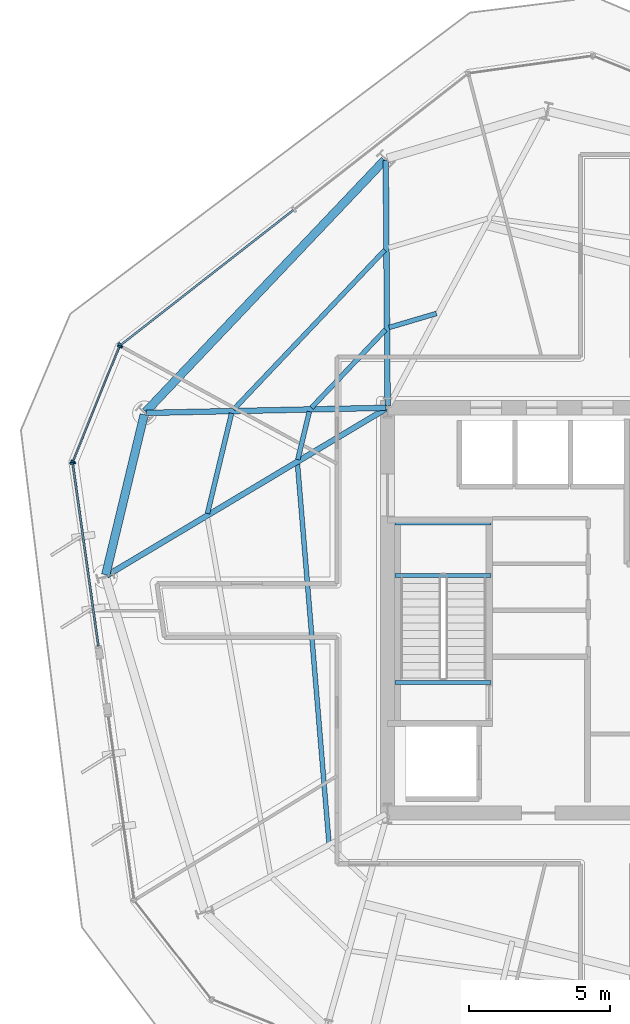
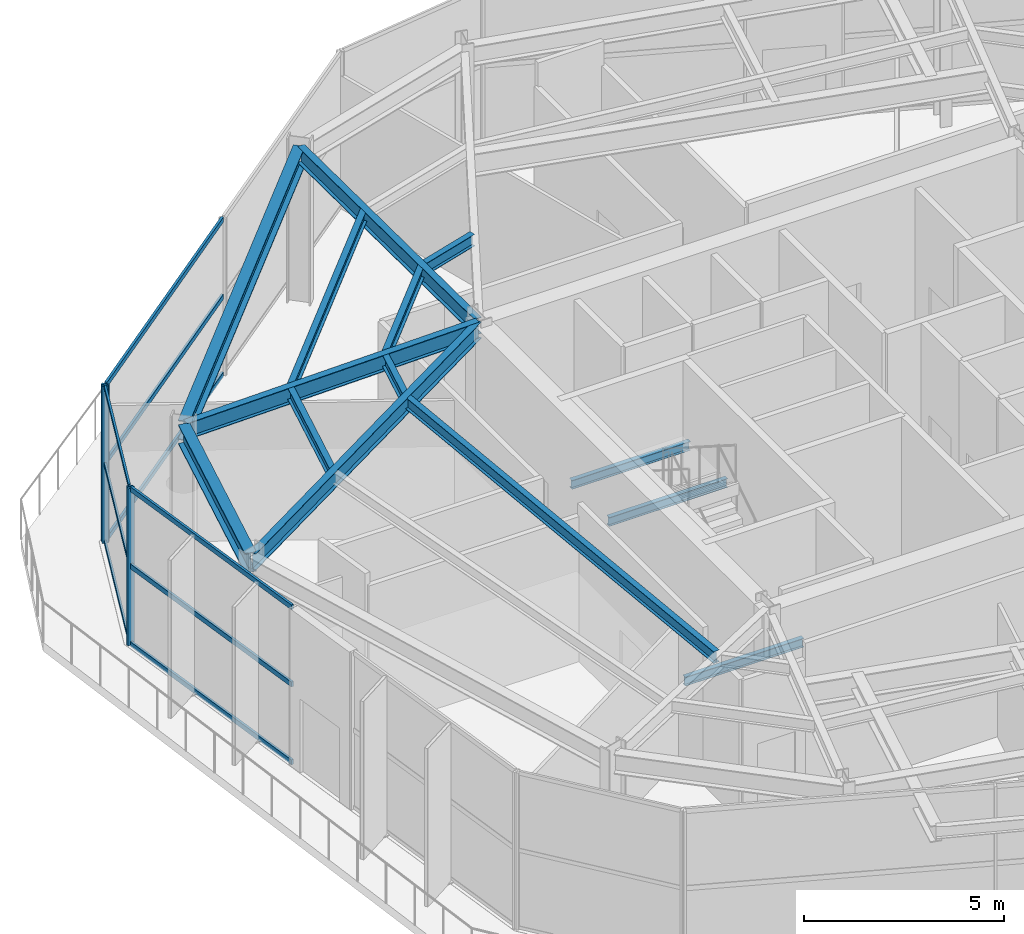
# One storey, part 4 of 14: 14 beams, 13 members, 3 elements without a shape of their own.
"""IFC4 building model written with IfcOpenShell, lengths in metres."""

from ifc_helpers import new_model, si_unit, direction, frame, origin, origin_2d, place, context, subcontext, project, spatial, rectangle, i_section, extrude, material, layer, layer_set, material_profile, profile_set, type_object, element, aggregate, save


model = new_model("IFC4")

# Units and contexts
model_context = context("Model", 3, precision=1e-05, world=origin(), true_north=direction((0.0, 1.0)))
body_context = subcontext(model_context, "Body", "Model", "MODEL_VIEW")
ifc_project = project(units=[si_unit("LENGTHUNIT", "METRE"), si_unit("AREAUNIT", "SQUARE_METRE"), si_unit("VOLUMEUNIT", "CUBIC_METRE"), si_unit("PLANEANGLEUNIT", "RADIAN"), si_unit("MASSUNIT", "GRAM", prefix="KILO")], contexts=[model_context])

# Site, building, storey
site_placement = place(None, origin())
site = spatial("IfcSite", under=ifc_project, at=site_placement, CompositionType="ELEMENT")
building_placement = place(site_placement, origin())
building = spatial("IfcBuilding", under=site, at=building_placement, Name="Kranzbogen Civic Tower", CompositionType="ELEMENT")
storey_placement = place(building_placement, frame((0.0, 0.0, 175.800048828125)))
storey = spatial("IfcBuildingStorey", under=building, at=storey_placement, Name="L42", CompositionType="ELEMENT", Elevation=175.800048828125)

# Curtain wall, members
ifc_material_1 = material(Name="Pale Anodised Aluminium", Category="aluminium")
ifc_layer_1 = layer(ifc_material_1, 0.219970703125, Name="Pale Anodised Aluminium")
ifc_layer_set_1 = layer_set([ifc_layer_1], Name="Pale Anodised Aluminium")
curtain_wall_type_1 = type_object("IfcCurtainWallType", Name="Chamfer Facet Stick Curtain Wall System CW-06", PredefinedType="USERDEFINED", material=ifc_layer_set_1)
curtain_wall_1_placement = place(storey_placement, origin())
curtain_wall_1 = element("IfcCurtainWall", 1, at=curtain_wall_1_placement, inside=storey, type_object=curtain_wall_type_1, Name="L42 curtain wall CW-L42-C2", ObjectType="STICK CURTAIN WALL", PredefinedType="USERDEFINED")
ifc_material_profile_1 = material_profile(ifc_material_1, rectangle(XDim=0.06005859375, YDim=0.159912109375, at=origin_2d()), Name="ALU-M 60x160")
ifc_profile_set_1 = profile_set([ifc_material_profile_1], Name="Pale Anodised Aluminium")
member_type_1 = type_object("IfcMemberType", Name="Curtain Wall Mullion ALU-M 60x160", PredefinedType="MULLION", material=ifc_profile_set_1)
member_1_placement = place(storey_placement, frame((7.673828125, 34.377197265625, 0.0), z_axis=(0.0, 0.0, 1.0), x_axis=(-0.374707302781, -0.92714315898, 0.0)))
member_1 = element("IfcMember", 2, at=member_1_placement, type_object=member_type_1, Name="CW-06 mullion 1", PredefinedType="MULLION", context=body_context, shape_type="SweptSolid", body=[
    extrude(rectangle(XDim=0.06005859375, YDim=0.159912109375, at=origin_2d()), origin(), (0.0, 0.0, 1.0), 4.780029296875),
])
member_2_placement = place(storey_placement, frame((6.022216796875, 30.290771484375, 0.0), z_axis=(0.0, 0.0, 1.0), x_axis=(-0.374707302781, -0.92714315898, 0.0)))
member_2 = element("IfcMember", 3, at=member_2_placement, type_object=member_type_1, Name="CW-06 mullion 2", PredefinedType="MULLION", context=body_context, shape_type="SweptSolid", body=[
    extrude(rectangle(XDim=0.06005859375, YDim=0.159912109375, at=origin_2d()), origin(), (0.0, 0.0, 1.0), 4.780029296875),
])

# Curtain wall, member
ifc_layer_2 = layer(ifc_material_1, 0.219970703125, Name="Pale Anodised Aluminium")
ifc_layer_set_2 = layer_set([ifc_layer_2], Name="Pale Anodised Aluminium")
curtain_wall_type_2 = type_object("IfcCurtainWallType", Name="Zone 3 Stick Curtain Wall System CW-04", PredefinedType="USERDEFINED", material=ifc_layer_set_2)
curtain_wall_2_placement = place(storey_placement, origin())
curtain_wall_2 = element("IfcCurtainWall", 4, at=curtain_wall_2_placement, inside=storey, type_object=curtain_wall_type_2, Name="L42 curtain wall CW-L42-F2", ObjectType="STICK CURTAIN WALL", PredefinedType="USERDEFINED")
ifc_material_profile_2 = material_profile(ifc_material_1, rectangle(XDim=0.070068359375, YDim=0.199951171875, at=origin_2d()), Name="ALU-M 70x200")
ifc_profile_set_2 = profile_set([ifc_material_profile_2], Name="Pale Anodised Aluminium")
member_type_2 = type_object("IfcMemberType", Name="Curtain Wall Mullion ALU-M 70x200", PredefinedType="MULLION", material=ifc_profile_set_2)
member_3_placement = place(storey_placement, frame((7.708740234375, 34.423583984375, 0.0), z_axis=(0.0, 0.0, 1.0), x_axis=(-0.788034025548, -0.615631687439, 0.0)))
member_3 = element("IfcMember", 5, at=member_3_placement, type_object=member_type_2, Name="CW-04 mullion 3", PredefinedType="MULLION", context=body_context, shape_type="SweptSolid", body=[
    extrude(rectangle(XDim=0.070068359375, YDim=0.199951171875, at=origin_2d()), origin(), (0.0, 0.0, 1.0), 4.780029296875),
])

curtain_wall_3_placement = place(storey_placement, origin())
curtain_wall_3 = element("IfcCurtainWall", 6, at=curtain_wall_3_placement, inside=storey, type_object=curtain_wall_type_2, Name="L42 curtain wall CW-L42-F3-S1", ObjectType="STICK CURTAIN WALL", PredefinedType="USERDEFINED")
member_4_placement = place(storey_placement, frame((6.01513671875, 30.2333984375, 0.0), z_axis=(0.0, 0.0, 1.0), x_axis=(0.139148919332, -0.990271466947, 0.0)))
member_4 = element("IfcMember", 7, at=member_4_placement, type_object=member_type_2, Name="CW-04 mullion 1", PredefinedType="MULLION", context=body_context, shape_type="SweptSolid", body=[
    extrude(rectangle(XDim=0.070068359375, YDim=0.199951171875, at=origin_2d()), origin(), (0.0, 0.0, 1.0), 4.780029296875),
])

# Member
ifc_material_profile_3 = material_profile(ifc_material_1, rectangle(XDim=0.06005859375, YDim=0.1201171875, at=origin_2d()), Name="ALU-T 60x120")
ifc_profile_set_3 = profile_set([ifc_material_profile_3], Name="Pale Anodised Aluminium")
member_type_3 = type_object("IfcMemberType", Name="Curtain Wall Transom ALU-T 60x120", PredefinedType="USERDEFINED", material=ifc_profile_set_3)
member_5_placement = place(storey_placement, frame((7.66259765625, 34.349365234375, 0.030029296875), z_axis=(-0.374728583094, -0.927134558202, 0.0), x_axis=(0.927134558202, -0.374728583094, 0.0)))
member_5 = element("IfcMember", 8, at=member_5_placement, type_object=member_type_3, Name="CW-06 transom 1.1", ObjectType="TRANSOM", PredefinedType="USERDEFINED", context=body_context, shape_type="SweptSolid", body=[
    extrude(rectangle(XDim=0.06005859375, YDim=0.1201171875, at=origin_2d()), origin(), (0.0, 0.0, 1.0), 4.34765625),
])

member_6_placement = place(storey_placement, frame((7.66259765625, 34.349365234375, 2.39990234375), z_axis=(-0.374728583094, -0.927134558202, 0.0), x_axis=(0.927134558202, -0.374728583094, 0.0)))
member_6 = element("IfcMember", 9, at=member_6_placement, type_object=member_type_3, Name="CW-06 transom 1.2", ObjectType="TRANSOM", PredefinedType="USERDEFINED", context=body_context, shape_type="SweptSolid", body=[
    extrude(rectangle(XDim=0.06005859375, YDim=0.1201171875, at=origin_2d()), origin(), (0.0, 0.0, 1.0), 4.34765625),
])

member_7_placement = place(storey_placement, frame((7.66259765625, 34.349365234375, 4.75), z_axis=(-0.374728583094, -0.927134558202, 0.0), x_axis=(0.927134558202, -0.374728583094, 0.0)))
member_7 = element("IfcMember", 10, at=member_7_placement, type_object=member_type_3, Name="CW-06 transom 1.3", ObjectType="TRANSOM", PredefinedType="USERDEFINED", context=body_context, shape_type="SweptSolid", body=[
    extrude(rectangle(XDim=0.06005859375, YDim=0.1201171875, at=origin_2d()), origin(), (0.0, 0.0, 1.0), 4.34765625),
])

aggregate(curtain_wall_1, [member_1, member_2, member_5, member_6, member_7])

ifc_material_profile_4 = material_profile(ifc_material_1, rectangle(XDim=0.070068359375, YDim=0.14990234375, at=origin_2d()), Name="ALU-T 70x150")
ifc_profile_set_4 = profile_set([ifc_material_profile_4], Name="Pale Anodised Aluminium")
member_type_4 = type_object("IfcMemberType", Name="Curtain Wall Transom ALU-T 70x150", PredefinedType="USERDEFINED", material=ifc_profile_set_4)
member_8_placement = place(storey_placement, frame((13.850341796875, 39.221435546875, 0.030029296875), z_axis=(-0.788041536288, -0.61562207326, 0.0), x_axis=(0.61562207326, -0.788041536288, 0.0)))
member_8 = element("IfcMember", 11, at=member_8_placement, type_object=member_type_4, Name="CW-04 transom 2.1", ObjectType="TRANSOM", PredefinedType="USERDEFINED", context=body_context, shape_type="SweptSolid", body=[
    extrude(rectangle(XDim=0.070068359375, YDim=0.14990234375, at=origin_2d()), origin(), (0.0, 0.0, 1.0), 7.763671875),
])

member_9_placement = place(storey_placement, frame((13.850341796875, 39.221435546875, 2.39990234375), z_axis=(-0.788041536288, -0.61562207326, 0.0), x_axis=(0.61562207326, -0.788041536288, 0.0)))
member_9 = element("IfcMember", 12, at=member_9_placement, type_object=member_type_4, Name="CW-04 transom 2.2", ObjectType="TRANSOM", PredefinedType="USERDEFINED", context=body_context, shape_type="SweptSolid", body=[
    extrude(rectangle(XDim=0.070068359375, YDim=0.14990234375, at=origin_2d()), origin(), (0.0, 0.0, 1.0), 7.763671875),
])

member_10_placement = place(storey_placement, frame((13.850341796875, 39.221435546875, 4.75), z_axis=(-0.788041536288, -0.61562207326, 0.0), x_axis=(0.61562207326, -0.788041536288, 0.0)))
member_10 = element("IfcMember", 13, at=member_10_placement, type_object=member_type_4, Name="CW-04 transom 2.3", ObjectType="TRANSOM", PredefinedType="USERDEFINED", context=body_context, shape_type="SweptSolid", body=[
    extrude(rectangle(XDim=0.070068359375, YDim=0.14990234375, at=origin_2d()), origin(), (0.0, 0.0, 1.0), 7.763671875),
])

aggregate(curtain_wall_2, [member_3, member_8, member_9, member_10])

member_11_placement = place(storey_placement, frame((6.019287109375, 30.20361328125, 0.030029296875), z_axis=(0.139166676203, -0.990268971661, 0.0), x_axis=(0.990268971661, 0.139166676203, 0.0)))
member_11 = element("IfcMember", 14, at=member_11_placement, type_object=member_type_4, Name="CW-04 transom 1.1", ObjectType="TRANSOM", PredefinedType="USERDEFINED", context=body_context, shape_type="SweptSolid", body=[
    extrude(rectangle(XDim=0.070068359375, YDim=0.14990234375, at=origin_2d()), origin(), (0.0, 0.0, 1.0), 6.53466796875),
])

member_12_placement = place(storey_placement, frame((6.019287109375, 30.20361328125, 2.39990234375), z_axis=(0.139166676203, -0.990268971661, 0.0), x_axis=(0.990268971661, 0.139166676203, 0.0)))
member_12 = element("IfcMember", 15, at=member_12_placement, type_object=member_type_4, Name="CW-04 transom 1.2", ObjectType="TRANSOM", PredefinedType="USERDEFINED", context=body_context, shape_type="SweptSolid", body=[
    extrude(rectangle(XDim=0.070068359375, YDim=0.14990234375, at=origin_2d()), origin(), (0.0, 0.0, 1.0), 6.53466796875),
])

member_13_placement = place(storey_placement, frame((6.019287109375, 30.20361328125, 4.75), z_axis=(0.139166676203, -0.990268971661, 0.0), x_axis=(0.990268971661, 0.139166676203, 0.0)))
member_13 = element("IfcMember", 16, at=member_13_placement, type_object=member_type_4, Name="CW-04 transom 1.3", ObjectType="TRANSOM", PredefinedType="USERDEFINED", context=body_context, shape_type="SweptSolid", body=[
    extrude(rectangle(XDim=0.070068359375, YDim=0.14990234375, at=origin_2d()), origin(), (0.0, 0.0, 1.0), 6.53466796875),
])

aggregate(curtain_wall_3, [member_4, member_11, member_12, member_13])

# Beams
ifc_material_2 = material(Name="Steel S355", Category="steel")
ifc_material_profile_5 = material_profile(ifc_material_2, i_section(OverallWidth=0.300048828125, OverallDepth=0.60009765625, WebThickness=0.015380859375, FlangeThickness=0.030029296875, at=origin_2d()), Name="HEB 600")
ifc_profile_set_5 = profile_set([ifc_material_profile_5], Name="Steel S355")
beam_type_1 = type_object("IfcBeamType", Name="Perimeter Tube Spandrel Beam HEB 600", PredefinedType="SPANDREL", material=ifc_profile_set_5)
beam_1_placement = place(storey_placement, frame((17.092041015625, 41.0, 4.47998046875), z_axis=(-0.688373497874, -0.725356414065, 0.0), x_axis=(0.725356414065, -0.688373497874, 0.0)))
element("IfcBeam", 17, at=beam_1_placement, inside=storey, type_object=beam_type_1, Name="L42 perimeter spandrel beam 10", PredefinedType="SPANDREL", context=body_context, shape_type="SweptSolid", body=[
    extrude(i_section(OverallWidth=0.300048828125, OverallDepth=0.60009765625, WebThickness=0.015380859375, FlangeThickness=0.030029296875, at=origin_2d()), origin(), (0.0, 0.0, 1.0), 12.324951171875),
])
beam_2_placement = place(storey_placement, frame((8.552978515625, 31.9580078125, 4.47998046875), z_axis=(-0.233554380434, -0.972343741369, 0.0), x_axis=(0.972343741369, -0.233554380434, 0.0)))
element("IfcBeam", 18, at=beam_2_placement, inside=storey, type_object=beam_type_1, Name="L42 perimeter spandrel beam 11", PredefinedType="SPANDREL", context=body_context, shape_type="SweptSolid", body=[
    extrude(i_section(OverallWidth=0.300048828125, OverallDepth=0.60009765625, WebThickness=0.015380859375, FlangeThickness=0.030029296875, at=origin_2d()), origin(), (0.0, 0.0, 1.0), 5.852783203125),
])
ifc_material_profile_6 = material_profile(ifc_material_2, i_section(OverallWidth=0.199951171875, OverallDepth=0.5, WebThickness=0.01025390625, FlangeThickness=0.01611328125, at=origin_2d()), Name="IPE 500")
ifc_profile_set_6 = profile_set([ifc_material_profile_6], Name="Steel S355")
beam_type_2 = type_object("IfcBeamType", Name="Radial Tower Floor Girder IPE 500", PredefinedType="BEAM", material=ifc_profile_set_6)
beam_3_placement = place(storey_placement, frame((17.133056640625, 40.98388671875, 4.530029296875), z_axis=(0.007667756557, -0.999970602323, 0.0), x_axis=(0.999970602323, 0.007667756557, 0.0)))
element("IfcBeam", 19, at=beam_3_placement, inside=storey, type_object=beam_type_2, Name="L42 radial floor girder 10", PredefinedType="BEAM", context=body_context, shape_type="SweptSolid", body=[
    extrude(i_section(OverallWidth=0.199951171875, OverallDepth=0.5, WebThickness=0.01025390625, FlangeThickness=0.01611328125, at=origin_2d()), origin(), (0.0, 0.0, 1.0), 8.72412109375),
])
beam_4_placement = place(storey_placement, frame((8.626953125, 32.01708984375, 4.530029296875), z_axis=(0.99977183191, 0.021360808018, 0.0), x_axis=(-0.021360808018, 0.99977183191, 0.0)))
element("IfcBeam", 20, at=beam_4_placement, inside=storey, type_object=beam_type_2, Name="L42 radial floor girder 11", PredefinedType="BEAM", context=body_context, shape_type="SweptSolid", body=[
    extrude(i_section(OverallWidth=0.199951171875, OverallDepth=0.5, WebThickness=0.01025390625, FlangeThickness=0.01611328125, at=origin_2d()), origin(), (0.0, 0.0, 1.0), 8.514892578125),
])
beam_5_placement = place(storey_placement, frame((7.22412109375, 26.239990234375, 4.530029296875), z_axis=(0.858458551809, 0.512882944565, 0.0), x_axis=(-0.512882944565, 0.858458551809, 0.0)))
element("IfcBeam", 21, at=beam_5_placement, inside=storey, type_object=beam_type_2, Name="L42 radial floor girder 12", PredefinedType="BEAM", context=body_context, shape_type="SweptSolid", body=[
    extrude(i_section(OverallWidth=0.199951171875, OverallDepth=0.5, WebThickness=0.01025390625, FlangeThickness=0.01611328125, at=origin_2d()), origin(), (0.0, 0.0, 1.0), 11.56005859375),
])
ifc_material_profile_7 = material_profile(ifc_material_2, i_section(OverallWidth=0.169921875, OverallDepth=0.360107421875, WebThickness=0.008056640625, FlangeThickness=0.0126953125, at=origin_2d()), Name="IPE 360")
ifc_profile_set_7 = profile_set([ifc_material_profile_7], Name="Steel S355")
beam_type_3 = type_object("IfcBeamType", Name="Secondary Composite Floor Joist IPE 360", PredefinedType="JOIST", material=ifc_profile_set_7)
beam_6_placement = place(storey_placement, frame((18.93408203125, 35.550048828125, 4.599853515625), z_axis=(-0.958871214757, -0.283841493638, 0.0), x_axis=(0.283841493638, -0.958871214757, 0.0)))
element("IfcBeam", 22, at=beam_6_placement, inside=storey, type_object=beam_type_3, Name="L42 secondary floor joist 2.09", PredefinedType="JOIST", context=body_context, shape_type="SweptSolid", body=[
    extrude(i_section(OverallWidth=0.169921875, OverallDepth=0.360107421875, WebThickness=0.008056640625, FlangeThickness=0.0126953125, at=origin_2d()), origin(), (0.0, 0.0, 1.0), 1.751220703125),
])
beam_7_placement = place(storey_placement, frame((17.10205078125, 37.802001953125, 4.599853515625), z_axis=(-0.688282381634, -0.725442873789, 0.0), x_axis=(0.725442873789, -0.688282381634, 0.0)))
element("IfcBeam", 23, at=beam_7_placement, inside=storey, type_object=beam_type_3, Name="L42 secondary floor joist 1.10", PredefinedType="JOIST", context=body_context, shape_type="SweptSolid", body=[
    extrude(i_section(OverallWidth=0.169921875, OverallDepth=0.360107421875, WebThickness=0.008056640625, FlangeThickness=0.0126953125, at=origin_2d()), origin(), (0.0, 0.0, 1.0), 7.804931640625),
])
beam_8_placement = place(storey_placement, frame((17.123046875, 34.971923828125, 4.599853515625), z_axis=(-0.688175084876, -0.725544659243, 0.0), x_axis=(0.725544659243, -0.688175084876, 0.0)))
element("IfcBeam", 24, at=beam_8_placement, inside=storey, type_object=beam_type_3, Name="L42 secondary floor joist 2.10", PredefinedType="JOIST", context=body_context, shape_type="SweptSolid", body=[
    extrude(i_section(OverallWidth=0.169921875, OverallDepth=0.360107421875, WebThickness=0.008056640625, FlangeThickness=0.0126953125, at=origin_2d()), origin(), (0.0, 0.0, 1.0), 3.82177734375),
])
beam_9_placement = place(storey_placement, frame((11.656005859375, 32.00390625, 4.599853515625), z_axis=(-0.233534367714, -0.972348548154, 0.0), x_axis=(0.972348548154, -0.233534367714, 0.0)))
element("IfcBeam", 25, at=beam_9_placement, inside=storey, type_object=beam_type_3, Name="L42 secondary floor joist 1.11", PredefinedType="JOIST", context=body_context, shape_type="SweptSolid", body=[
    extrude(i_section(OverallWidth=0.169921875, OverallDepth=0.360107421875, WebThickness=0.008056640625, FlangeThickness=0.0126953125, at=origin_2d()), origin(), (0.0, 0.0, 1.0), 3.6611328125),
])
beam_10_placement = place(storey_placement, frame((14.4189453125, 32.06298828125, 4.599853515625), z_axis=(-0.233631438607, -0.972325228972, 0.0), x_axis=(0.972325228972, -0.233631438607, 0.0)))
element("IfcBeam", 26, at=beam_10_placement, inside=storey, type_object=beam_type_3, Name="L42 secondary floor joist 2.11", PredefinedType="JOIST", context=body_context, shape_type="SweptSolid", body=[
    extrude(i_section(OverallWidth=0.169921875, OverallDepth=0.360107421875, WebThickness=0.008056640625, FlangeThickness=0.0126953125, at=origin_2d()), origin(), (0.0, 0.0, 1.0), 1.750244140625),
])
beam_11_placement = place(storey_placement, frame((13.998046875, 30.202880859375, 4.599853515625), z_axis=(0.082825426692, -0.996564071544, 0.0), x_axis=(0.996564071544, 0.082825426692, 0.0)))
element("IfcBeam", 27, at=beam_11_placement, inside=storey, type_object=beam_type_3, Name="L42 secondary floor joist 2.12", PredefinedType="JOIST", context=body_context, shape_type="SweptSolid", body=[
    extrude(i_section(OverallWidth=0.169921875, OverallDepth=0.360107421875, WebThickness=0.008056640625, FlangeThickness=0.0126953125, at=origin_2d()), origin(), (0.0, 0.0, 1.0), 13.497314453125),
])
ifc_material_profile_8 = material_profile(ifc_material_2, i_section(OverallWidth=0.135009765625, OverallDepth=0.27001953125, WebThickness=0.006591796875, FlangeThickness=0.01025390625, at=origin_2d()), Name="IPE 270")
ifc_profile_set_8 = profile_set([ifc_material_profile_8], Name="Steel S355")
beam_type_4 = type_object("IfcBeamType", Name="Stair Landing Support Beam IPE 270", PredefinedType="JOIST", material=ifc_profile_set_8)
for number, where, z_axis, x_axis, name in (
    (28, (20.8798828125, 22.43994140625, -0.39501953125), (-1.0, 0.0, 0.0), (0.0, -1.0, 0.0), "L42 ST-T1 stair floor header beam"),
    (29, (20.8798828125, 26.239990234375, 2.1650390625), (-1.0, 0.0, 0.0), (0.0, -1.0, 0.0), "L42 ST-T1 landing support beam 1.1"),
    (30, (20.8798828125, 28.10009765625, 2.1650390625), (-1.0, 0.0, 0.0), (0.0, -1.0, 0.0), "L42 ST-T1 landing support beam 1.2"),
):
    element("IfcBeam", number, at=place(storey_placement, frame(where, z_axis=z_axis, x_axis=x_axis)), inside=storey, type_object=beam_type_4, Name=name, PredefinedType="JOIST", context=body_context, shape_type="SweptSolid", body=[
        extrude(i_section(OverallWidth=0.135009765625, OverallDepth=0.27001953125, WebThickness=0.006591796875, FlangeThickness=0.01025390625, at=origin_2d()), origin(), (0.0, 0.0, 1.0), 3.409912109375),
    ])

save(model, "model.ifc")
